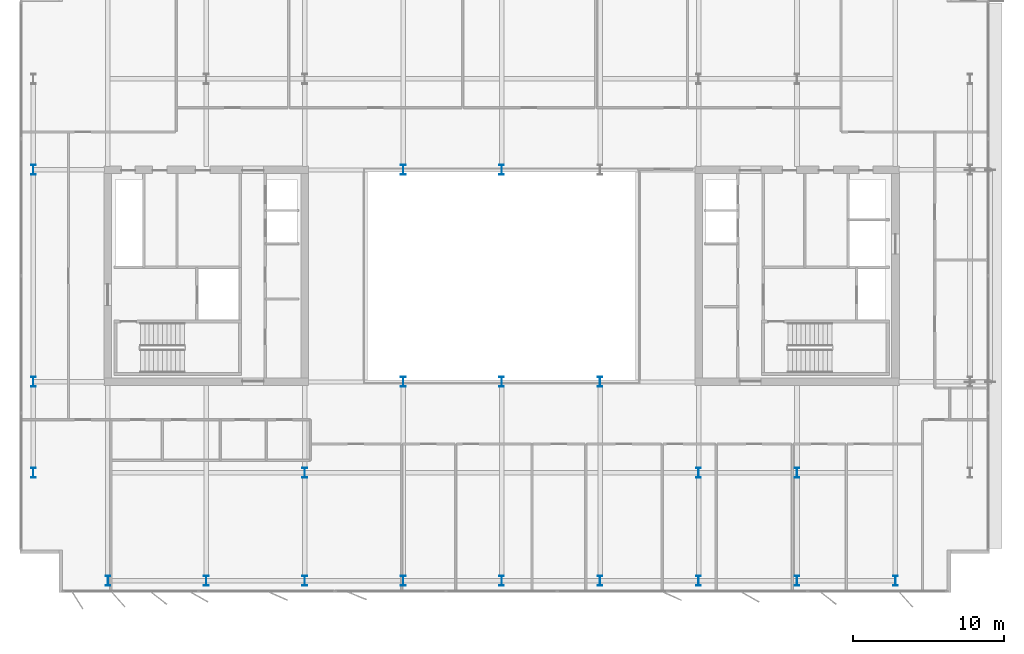
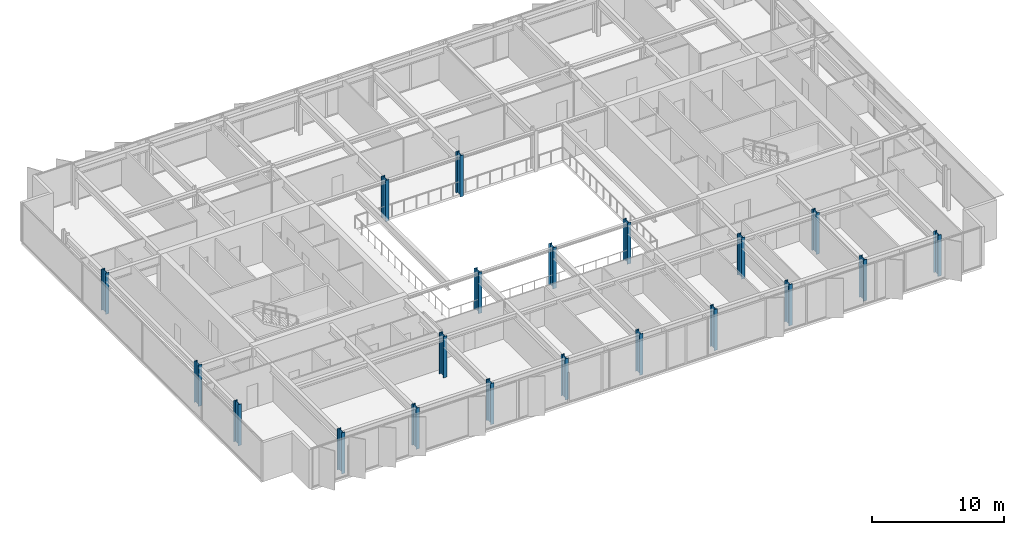
# One storey, part 1 of 19: 20 columns.
"""IFC4 building model written with IfcOpenShell, lengths in metres."""

from ifc_helpers import new_model, si_unit, direction, frame, origin, origin_2d, place, context, subcontext, project, spatial, i_section, extrude, material, material_profile, profile_set, type_object, element, save


model = new_model("IFC4")

# Units and contexts
model_context = context("Model", 3, precision=1e-05, world=origin(), true_north=direction((0.0, 1.0)))
body_context = subcontext(model_context, "Body", "Model", "MODEL_VIEW")
ifc_project = project(units=[si_unit("LENGTHUNIT", "METRE"), si_unit("AREAUNIT", "SQUARE_METRE"), si_unit("VOLUMEUNIT", "CUBIC_METRE"), si_unit("PLANEANGLEUNIT", "RADIAN"), si_unit("MASSUNIT", "GRAM", prefix="KILO")], contexts=[model_context])

# Site, building, storey
site_placement = place(None, origin())
site = spatial("IfcSite", under=ifc_project, at=site_placement, CompositionType="ELEMENT")
building_placement = place(site_placement, origin())
building = spatial("IfcBuilding", under=site, at=building_placement, Name="Putna Gate Headquarters", CompositionType="ELEMENT")
storey_placement = place(building_placement, frame((0.0, 0.0, 267.0)))
storey = spatial("IfcBuildingStorey", under=building, at=storey_placement, Name="L67", CompositionType="ELEMENT", Elevation=267.0)

# Columns
ifc_material = material(Name="Steel S460M", Category="steel")
ifc_material_profile_1 = material_profile(ifc_material, i_section(OverallWidth=0.304931640625, OverallDepth=0.66796875, WebThickness=0.02099609375, FlangeThickness=0.0400390625, at=origin_2d()), Name="Steel S460M")
ifc_profile_set_1 = profile_set([ifc_material_profile_1], Name="Steel S460M")
column_type_1 = type_object("IfcColumnType", Name="COL-STL-HEM650-EXT", PredefinedType="COLUMN", material=ifc_profile_set_1)
for number, where, z_axis, x_axis, name in (
    (1, (13.0, 5.8798828125, 0.0), (0.0, 0.0, 1.0), (1.0, 0.0, 0.0), "L67 Column CP-S13"),
    (2, (19.5, 5.8798828125, 0.0), (0.0, 0.0, 1.0), (1.0, 0.0, 0.0), "L67 Column CP-S19"),
    (3, (26.0, 5.8798828125, 0.0), (0.0, 0.0, 1.0), (1.0, 0.0, 0.0), "L67 Column CP-S26"),
    (4, (32.5, 5.8798828125, 0.0), (0.0, 0.0, 1.0), (1.0, 0.0, 0.0), "L67 Column CP-S32"),
    (5, (39.0, 5.8798828125, 0.0), (0.0, 0.0, 1.0), (1.0, 0.0, 0.0), "L67 Column CP-S39"),
    (6, (45.5, 5.8798828125, 0.0), (0.0, 0.0, 1.0), (1.0, 0.0, 0.0), "L67 Column CP-S45"),
    (7, (52.0, 5.8798828125, 0.0), (0.0, 0.0, 1.0), (1.0, 0.0, 0.0), "L67 Column CP-S52"),
    (8, (58.5, 5.8798828125, 0.0), (0.0, 0.0, 1.0), (1.0, 0.0, 0.0), "L67 Column CP-S58"),
    (9, (65.0, 5.8798828125, 0.0), (0.0, 0.0, 1.0), (1.0, 0.0, 0.0), "L67 Column CP-S65"),
    (10, (8.080078125, 13.0, 0.0), (0.0, 0.0, 1.0), (1.0, 0.0, 0.0), "L67 Column CP-W13"),
    (11, (8.080078125, 19.0, 0.0), (0.0, 0.0, 1.0), (1.0, 0.0, 0.0), "L67 Column CP-W19"),
    (12, (8.080078125, 33.0, 0.0), (0.0, 0.0, 1.0), (1.0, 0.0, 0.0), "L67 Column CP-W33"),
):
    element("IfcColumn", number, at=place(storey_placement, frame(where, z_axis=z_axis, x_axis=x_axis)), inside=storey, type_object=column_type_1, Name=name, PredefinedType="COLUMN", context=body_context, shape_type="SweptSolid", body=[
        extrude(i_section(OverallWidth=0.304931640625, OverallDepth=0.66796875, WebThickness=0.02099609375, FlangeThickness=0.0400390625, at=origin_2d()), origin(), (0.0, 0.0, 1.0), 3.800048828125),
    ])
ifc_material_profile_2 = material_profile(ifc_material, i_section(OverallWidth=0.304931640625, OverallDepth=0.66796875, WebThickness=0.02099609375, FlangeThickness=0.0400390625, at=origin_2d()), Name="Steel S460M")
ifc_profile_set_2 = profile_set([ifc_material_profile_2], Name="Steel S460M")
column_type_2 = type_object("IfcColumnType", Name="COL-STL-HEM650-INT", PredefinedType="COLUMN", material=ifc_profile_set_2)
for number, where, z_axis, x_axis, name in (
    (13, (58.5, 13.0, 0.0), (0.0, 0.0, 1.0), (1.0, 0.0, 0.0), "L67 Column CSI-ES"),
    (14, (32.5, 19.0, 0.0), (0.0, 0.0, 1.0), (1.0, 0.0, 0.0), "L67 Column CAI-S32"),
    (15, (32.5, 33.0, 0.0), (0.0, 0.0, 1.0), (1.0, 0.0, 0.0), "L67 Column CAI-N32"),
    (16, (39.0, 19.0, 0.0), (0.0, 0.0, 1.0), (1.0, 0.0, 0.0), "L67 Column CAI-S39"),
    (17, (39.0, 33.0, 0.0), (0.0, 0.0, 1.0), (1.0, 0.0, 0.0), "L67 Column CAI-N39"),
    (18, (45.5, 19.0, 0.0), (0.0, 0.0, 1.0), (1.0, 0.0, 0.0), "L67 Column CAI-S45"),
    (19, (26.0, 13.0, 0.0), (0.0, 0.0, 1.0), (1.0, 0.0, 0.0), "L67 Column CAP-WS"),
    (20, (52.0, 13.0, 0.0), (0.0, 0.0, 1.0), (1.0, 0.0, 0.0), "L67 Column CAP-ES"),
):
    element("IfcColumn", number, at=place(storey_placement, frame(where, z_axis=z_axis, x_axis=x_axis)), inside=storey, type_object=column_type_2, Name=name, PredefinedType="COLUMN", context=body_context, shape_type="SweptSolid", body=[
        extrude(i_section(OverallWidth=0.304931640625, OverallDepth=0.66796875, WebThickness=0.02099609375, FlangeThickness=0.0400390625, at=origin_2d()), origin(), (0.0, 0.0, 1.0), 3.800048828125),
    ])

save(model, "model.ifc")
